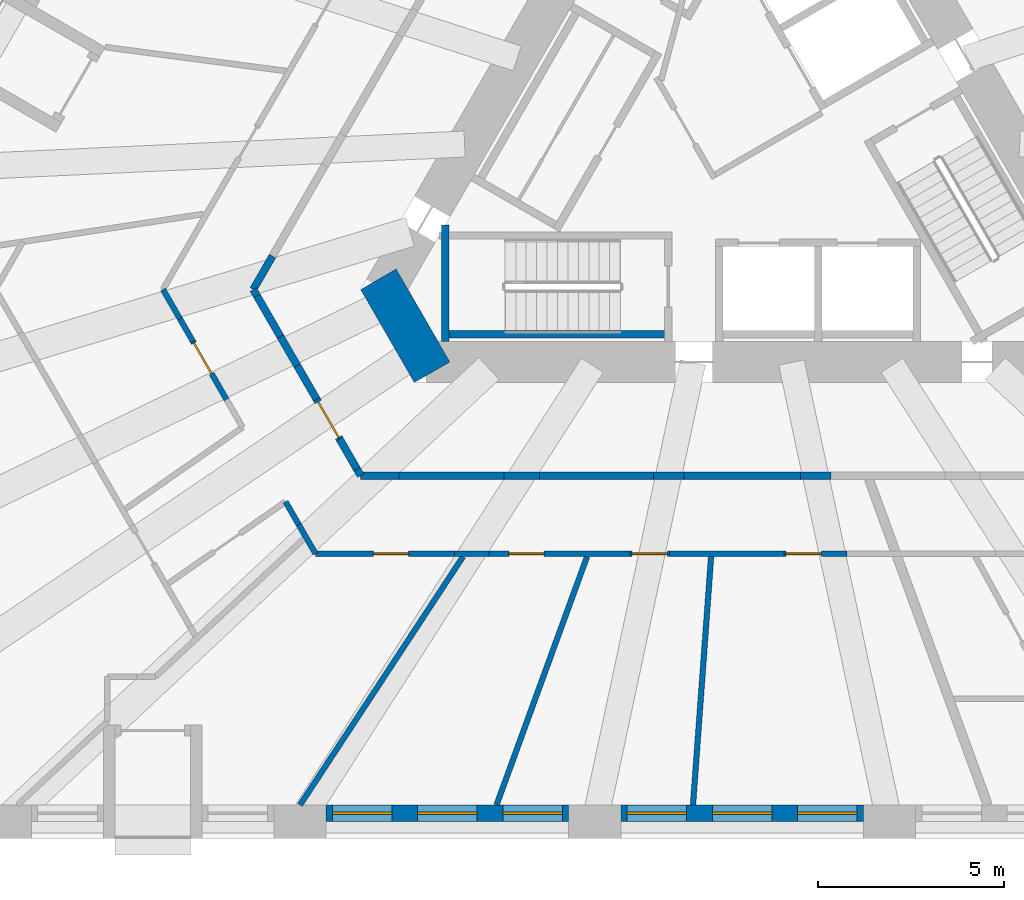
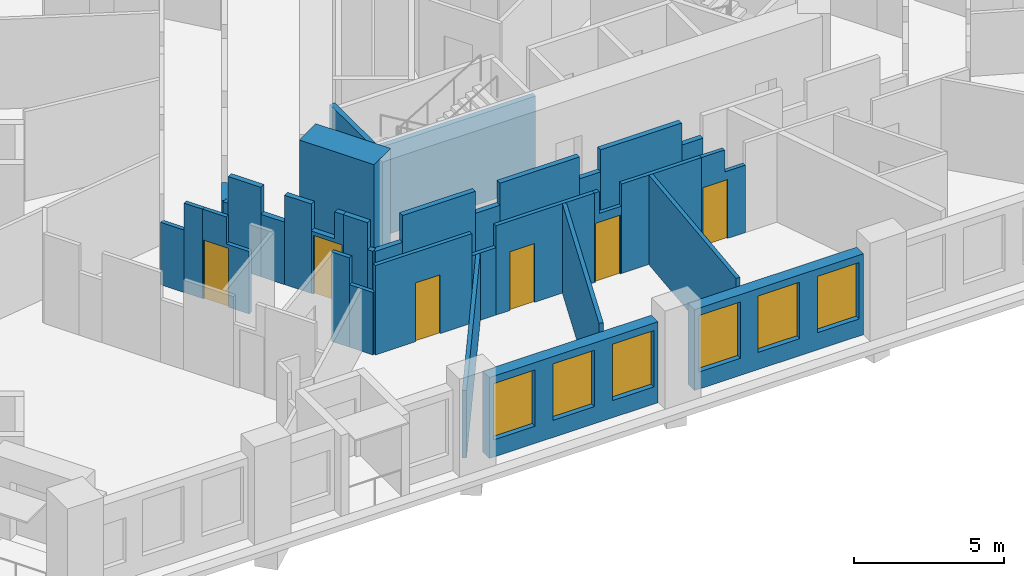
# One storey, part 3 of 14: 34 walls, 6 doors, 6 windows, 12 openings.
"""IFC4 building model written with IfcOpenShell, lengths in metres."""

import ifcopenshell
import ifcopenshell.guid

model = None  # the IFC model being written
_history = None  # IfcOwnerHistory: only IFC2X3 demands one
_inside = {}  # id of a spatial element -> (the spatial element, [elements in it])
_under = {}  # id of a project, library or spatial element -> (it, [spatial elements below it])
_declared = {}  # id of a project -> (the project, [libraries it declares])
_typed = {}  # id of a type object -> (the type object, [elements of that type])
_made_of = {}  # id of a material, layer set ... -> (it, [elements and type objects made of it])


def new_model(schema):
    """Start an empty IFC model of exactly this schema.

    Asked for "IFC4X3", IfcOpenShell would pick the latest addendum, in which some entities
    have other attributes; the version numbers below select the first issue.
    IFC2X3 requires an IfcOwnerHistory on every rooted entity: one is made here for all.
    """
    global model, _history
    if schema == "IFC4X3":
        model = ifcopenshell.file(schema_version=(4, 3, 0, 0))
    else:
        model = ifcopenshell.file(schema=schema)
    _inside.clear()
    _under.clear()
    _declared.clear()
    _typed.clear()
    _made_of.clear()
    _history = None
    if model.schema == "IFC2X3":
        org = make("IfcOrganization", Name="unknown")
        user = make(
            "IfcPersonAndOrganization",
            ThePerson=make("IfcPerson", FamilyName="unknown"),
            TheOrganization=org,
        )
        app = make(
            "IfcApplication",
            ApplicationDeveloper=org,
            Version="unknown",
            ApplicationFullName="unknown",
            ApplicationIdentifier="unknown",
        )
        _history = make(
            "IfcOwnerHistory",
            OwningUser=user,
            OwningApplication=app,
            ChangeAction="ADDED",
            CreationDate=0,
        )
    return model


def make(cls, **values):
    """One entity of the class cls with the attributes given. An attribute that is None is left unset."""
    return model.create_entity(
        cls, **{name: value for name, value in values.items() if value is not None}
    )


def rooted(cls, **values):
    """An entity with a GlobalId (a new one), such as an element, a storey or a relation."""
    return make(cls, GlobalId=ifcopenshell.guid.new(), OwnerHistory=_history, **values)


def si_unit(unit_type, name, prefix=None):
    """IfcSIUnit, for example si_unit("LENGTHUNIT", "METRE", prefix="MILLI")."""
    return make("IfcSIUnit", UnitType=unit_type, Prefix=prefix, Name=name)


def assignment(units):
    """IfcUnitAssignment: the units of a project."""
    return None if units is None else make("IfcUnitAssignment", Units=units)


def point(xyz):
    """IfcCartesianPoint."""
    return None if xyz is None else make("IfcCartesianPoint", Coordinates=xyz)


def direction(xyz):
    """IfcDirection."""
    return None if xyz is None else make("IfcDirection", DirectionRatios=xyz)


def frame(location, z_axis=None, x_axis=None):
    """IfcAxis2Placement3D, a coordinate frame: its origin and axes. An axis left out is left unset."""
    return make(
        "IfcAxis2Placement3D",
        Location=point(location),
        Axis=direction(z_axis),
        RefDirection=direction(x_axis),
    )


def frame_2d(location, x_axis=None):
    """IfcAxis2Placement2D, a coordinate frame in the plane: its origin and x axis."""
    return make(
        "IfcAxis2Placement2D", Location=point(location), RefDirection=direction(x_axis)
    )


def origin():
    """The frame at (0, 0, 0) with its axes left unset."""
    return frame((0.0, 0.0, 0.0))


def place(relative_to, where):
    """IfcLocalPlacement: puts the frame where relative to a parent placement (None: the world)."""
    return make(
        "IfcLocalPlacement", PlacementRelTo=relative_to, RelativePlacement=where
    )


def context(
    kind, dimensions, precision=None, world=None, true_north=None, identifier=None
):
    """IfcGeometricRepresentationContext, for example the 3D "Model" context."""
    return make(
        "IfcGeometricRepresentationContext",
        ContextIdentifier=identifier,
        ContextType=kind,
        CoordinateSpaceDimension=dimensions,
        Precision=precision,
        WorldCoordinateSystem=world,
        TrueNorth=true_north,
    )


def subcontext(parent, identifier, kind, view, scale=None):
    """IfcGeometricRepresentationSubContext, for example "Body" below "Model"."""
    return make(
        "IfcGeometricRepresentationSubContext",
        ContextIdentifier=identifier,
        ContextType=kind,
        ParentContext=parent,
        TargetScale=scale,
        TargetView=view,
    )


def project(units=None, contexts=None):
    """IfcProject with its units and contexts."""
    return rooted(
        "IfcProject",
        Name="project",
        RepresentationContexts=contexts,
        UnitsInContext=assignment(units),
    )


def spatial(cls, under=None, at=None, **own):
    """A site, building, storey or space (cls), placed at a placement, below another one or the project."""
    s = rooted(cls, ObjectPlacement=at, **own)
    if under is not None:
        _under.setdefault(under.id(), (under, []))[1].append(s)
    return s


def polyline(points):
    """IfcPolyline through the points."""
    return make("IfcPolyline", Points=[point(p) for p in points])


def profile(cls, at=None, kind="AREA", **sizes):
    """A parametric profile (cls). Its sizes go by their IFC names, for example OverallWidth=200.0."""
    return make(cls, ProfileType=kind, Position=at, **sizes)


def rectangle(**sizes):
    """IfcRectangleProfileDef."""
    return profile("IfcRectangleProfileDef", **sizes)


def outline(outer, holes=None, kind="AREA"):
    """IfcArbitraryClosedProfileDef: a profile drawn as a closed curve; with holes, ...WithVoids."""
    if holes is None:
        return make("IfcArbitraryClosedProfileDef", ProfileType=kind, OuterCurve=outer)
    return make(
        "IfcArbitraryProfileDefWithVoids",
        ProfileType=kind,
        OuterCurve=outer,
        InnerCurves=holes,
    )


def extrude(swept, where, along, depth):
    """IfcExtrudedAreaSolid: the profile swept, set in the frame where, extruded along a direction by depth."""
    return make(
        "IfcExtrudedAreaSolid",
        SweptArea=swept,
        Position=where,
        ExtrudedDirection=direction(along),
        Depth=depth,
    )


def shape(context_of_items, identifier, shape_type, items):
    """IfcShapeRepresentation: the items that make up one representation, for example the "Body"."""
    return make(
        "IfcShapeRepresentation",
        ContextOfItems=context_of_items,
        RepresentationIdentifier=identifier,
        RepresentationType=shape_type,
        Items=items,
    )


def material(Name=None, Category=None):
    """IfcMaterial."""
    return make("IfcMaterial", Name=Name, Category=Category)


def layer(
    of_material, thickness, ventilated=None, Name=None, Category=None, Priority=None
):
    """IfcMaterialLayer: one layer of a wall or slab, of a material (None: an air gap)."""
    return make(
        "IfcMaterialLayer",
        Material=of_material,
        LayerThickness=thickness,
        IsVentilated=ventilated,
        Name=Name,
        Category=Category,
        Priority=Priority,
    )


def layer_set(layers, Name=None):
    """IfcMaterialLayerSet."""
    return make("IfcMaterialLayerSet", MaterialLayers=layers, LayerSetName=Name)


def made_of(thing, what):
    """Note that an element or type object is made of a material, layer set ...; save() writes the relation."""
    if what is not None:
        _made_of.setdefault(what.id(), (what, []))[1].append(thing)
    return thing


def type_object(cls, material=None, **own):
    """A type object (cls), such as IfcWallType, which elements share."""
    return made_of(rooted(cls, **own), material)


def element(
    cls,
    number,
    at=None,
    inside=None,
    cuts=None,
    type_object=None,
    material=None,
    context=None,
    identifier="Body",
    shape_type=None,
    held_by="IfcProductDefinitionShape",
    body=None,
    shapes=None,
    **own,
):
    """One element of the class cls, such as IfcWall. Its Tag is "e" and its number.

    at: its placement. inside: the storey or other place that contains it. cuts: it is an
    opening in that element (IfcRelVoidsElement). A single representation is given by context,
    identifier, shape_type and body (its items); several are given by shapes. held_by: the class
    of the entity that holds the representations. save() writes the other relations.
    """
    e = rooted(cls, Tag="e%d" % number, ObjectPlacement=at, **own)
    if body is not None:
        shapes = [shape(context, identifier, shape_type, body)]
    if shapes is not None:
        e.Representation = make(held_by, Representations=shapes)
    if inside is not None:
        _inside.setdefault(inside.id(), (inside, []))[1].append(e)
    if cuts is not None:
        rooted(
            "IfcRelVoidsElement", RelatingBuildingElement=cuts, RelatedOpeningElement=e
        )
    if type_object is not None:
        _typed.setdefault(type_object.id(), (type_object, []))[1].append(e)
    return made_of(e, material)


def fill(opening, filler):
    """IfcRelFillsElement: the door or window that sits in an opening."""
    return rooted(
        "IfcRelFillsElement",
        RelatingOpeningElement=opening,
        RelatedBuildingElement=filler,
    )


def aggregate(whole, parts):
    """IfcRelAggregates: a whole, such as a stair, and the parts it consists of."""
    return rooted("IfcRelAggregates", RelatingObject=whole, RelatedObjects=parts)


def save(model, path):
    """Write the relations noted so far, then the file.

    IfcRelAggregates (storeys below a building ...), IfcRelContainedInSpatialStructure (elements
    in a storey), IfcRelDefinesByType, IfcRelAssociatesMaterial and IfcRelDeclares: one each for
    every whole, place, type object, material and project.
    """
    for whole, parts in _under.values():
        aggregate(whole, parts)
    for where, things in _inside.values():
        rooted(
            "IfcRelContainedInSpatialStructure",
            RelatedElements=things,
            RelatingStructure=where,
        )
    for kind, things in _typed.values():
        rooted("IfcRelDefinesByType", RelatedObjects=things, RelatingType=kind)
    for what, things in _made_of.values():
        rooted("IfcRelAssociatesMaterial", RelatedObjects=things, RelatingMaterial=what)
    for by, libraries in _declared.values():
        rooted("IfcRelDeclares", RelatingContext=by, RelatedDefinitions=libraries)
    model.write(path)


model = new_model("IFC4")

# Units and contexts
model_context = context("Model", 3, precision=1e-05, world=origin(), true_north=direction((0.0, 1.0)))
body_context = subcontext(model_context, "Body", "Model", "MODEL_VIEW")
ifc_project = project(units=[si_unit("LENGTHUNIT", "METRE"), si_unit("AREAUNIT", "SQUARE_METRE"), si_unit("VOLUMEUNIT", "CUBIC_METRE"), si_unit("PLANEANGLEUNIT", "RADIAN"), si_unit("MASSUNIT", "GRAM", prefix="KILO")], contexts=[model_context])

# Site, building, storey
site_placement = place(None, origin())
site = spatial("IfcSite", under=ifc_project, at=site_placement, CompositionType="ELEMENT")
building_placement = place(site_placement, origin())
building = spatial("IfcBuilding", under=site, at=building_placement, Name="Tramontana Tower", CompositionType="ELEMENT")
storey_placement = place(building_placement, frame((0.0, 0.0, 38.0)))
storey = spatial("IfcBuildingStorey", under=building, at=storey_placement, Name="L07", CompositionType="ELEMENT", Elevation=38.0)

# Walls
ifc_material_1 = material(Name="Concrete 70 MPa", Category="concrete")
ifc_layer_1 = layer(ifc_material_1, 1.10009765625)
ifc_layer_set_1 = layer_set([ifc_layer_1], Name="Core wall 1100 70 MPa")
wall_type_1 = type_object("IfcWallType", Name="Core wall 1100 70 MPa", PredefinedType="SHEAR", material=ifc_layer_set_1)
wall_1_placement = place(storey_placement, frame((-9.771728515625, -3.97509765625, 0.0), z_axis=(0.0, 0.0, 1.0), x_axis=(0.499995765644, -0.866027848477, 0.0)))
element("IfcWall", 1, at=wall_1_placement, inside=storey, type_object=wall_type_1, Name="Core wall C2 L07", PredefinedType="SHEAR", context=body_context, shape_type="SweptSolid", body=[
    extrude(rectangle(XDim=2.88671875, YDim=1.10009765625, at=frame_2d((1.443359375, 0.0))), origin(), (0.0, 0.0, 1.0), 4.0),
])
ifc_material_2 = material(Name="Blockwork", Category="masonry")
ifc_layer_2 = layer(ifc_material_2, 0.199951171875)
ifc_layer_set_2 = layer_set([ifc_layer_2], Name="ENTRY WALL 200")
wall_type_2 = type_object("IfcWallType", Name="ENTRY WALL 200", PredefinedType="SOLIDWALL", material=ifc_layer_set_2)
wall_2_placement = place(storey_placement, frame((2.383056640625, -9.25, 0.0), z_axis=(0.0, 0.0, 1.0), x_axis=(-1.0, 0.0, 0.0)))
element("IfcWall", 2, at=wall_2_placement, inside=storey, type_object=wall_type_2, Name="Wall v02-ew2-4", PredefinedType="SOLIDWALL", context=body_context, shape_type="SweptSolid", body=[
    extrude(rectangle(XDim=0.81787109375, YDim=0.199951171875, at=frame_2d((0.408935546875, 0.0))), origin(), (0.0, 0.0, 1.0), 2.75),
])
wall_3_placement = place(storey_placement, frame((1.565185546875, -9.25, 0.0), z_axis=(0.0, 0.0, 1.0), x_axis=(-1.0, 0.0, 0.0)))
element("IfcWall", 3, at=wall_3_placement, inside=storey, type_object=wall_type_2, Name="Wall v02-ew2-5", PredefinedType="SOLIDWALL", context=body_context, shape_type="SweptSolid", body=[
    extrude(rectangle(XDim=3.13037109375, YDim=0.199951171875, at=frame_2d((1.565185546875, 0.0))), origin(), (0.0, 0.0, 1.0), 3.64990234375),
])
wall_4_placement = place(storey_placement, frame((-1.565185546875, -9.25, 0.0), z_axis=(0.0, 0.0, 1.0), x_axis=(-1.0, 0.0, 0.0)))
element("IfcWall", 4, at=wall_4_placement, inside=storey, type_object=wall_type_2, Name="Wall v02-ew2-6", PredefinedType="SOLIDWALL", context=body_context, shape_type="SweptSolid", body=[
    extrude(rectangle(XDim=0.81787109375, YDim=0.199951171875, at=frame_2d((0.408935546875, 0.0))), origin(), (0.0, 0.0, 1.0), 2.75),
])
wall_5_placement = place(storey_placement, frame((-2.383056640625, -9.25, 0.0), z_axis=(0.0, 0.0, 1.0), x_axis=(-1.0, 0.0, 0.0)))
element("IfcWall", 5, at=wall_5_placement, inside=storey, type_object=wall_type_2, Name="Wall v02-ew2-7", PredefinedType="SOLIDWALL", context=body_context, shape_type="SweptSolid", body=[
    extrude(rectangle(XDim=3.064453125, YDim=0.199951171875, at=frame_2d((1.5322265625, 0.0))), origin(), (0.0, 0.0, 1.0), 3.64990234375),
])
wall_6_placement = place(storey_placement, frame((-5.447509765625, -9.25, 0.0), z_axis=(0.0, 0.0, 1.0), x_axis=(-1.0, 0.0, 0.0)))
element("IfcWall", 6, at=wall_6_placement, inside=storey, type_object=wall_type_2, Name="Wall v02-ew2-8", PredefinedType="SOLIDWALL", context=body_context, shape_type="SweptSolid", body=[
    extrude(rectangle(XDim=0.949951171875, YDim=0.199951171875, at=frame_2d((0.47509765625, 0.0))), origin(), (0.0, 0.0, 1.0), 2.75),
])
wall_7_placement = place(storey_placement, frame((-6.3974609375, -9.25, 0.0), z_axis=(0.0, 0.0, 1.0), x_axis=(-1.0, 0.0, 0.0)))
element("IfcWall", 7, at=wall_7_placement, inside=storey, type_object=wall_type_2, Name="Wall v02-ew2-9", PredefinedType="SOLIDWALL", context=body_context, shape_type="SweptSolid", body=[
    extrude(rectangle(XDim=2.815185546875, YDim=0.199951171875, at=frame_2d((1.40771484375, 0.0))), origin(), (0.0, 0.0, 1.0), 3.64990234375),
])
wall_8_placement = place(storey_placement, frame((-9.212646484375, -9.25, 0.0), z_axis=(0.0, 0.0, 1.0), x_axis=(-1.0, 0.0, 0.0)))
element("IfcWall", 8, at=wall_8_placement, inside=storey, type_object=wall_type_2, Name="Wall v02-ew2-10", PredefinedType="SOLIDWALL", context=body_context, shape_type="SweptSolid", body=[
    extrude(rectangle(XDim=1.035400390625, YDim=0.199951171875, at=frame_2d((0.517578125, 0.0))), origin(), (0.0, 0.0, 1.0), 2.550048828125),
])
wall_9_placement = place(storey_placement, frame((-10.248046875, -9.25, 0.0), z_axis=(0.0, 0.0, 1.0), x_axis=(-0.499865263774, 0.866103179807, 0.0)))
element("IfcWall", 9, at=wall_9_placement, inside=storey, type_object=wall_type_2, Name="Wall v02-ew3-0", PredefinedType="SOLIDWALL", context=body_context, shape_type="SweptSolid", body=[
    extrude(rectangle(XDim=0.197265625, YDim=0.199951171875, at=frame_2d((0.0986328125, 0.0))), origin(), (0.0, 0.0, 1.0), 2.550048828125),
])
wall_10_placement = place(storey_placement, frame((-10.3466796875, -9.0791015625, 0.0), z_axis=(0.0, 0.0, 1.0), x_axis=(-0.499925626596, 0.866068339032, 0.0)))
element("IfcWall", 10, at=wall_10_placement, inside=storey, type_object=wall_type_2, Name="Wall v02-ew3-1", PredefinedType="SOLIDWALL", context=body_context, shape_type="SweptSolid", body=[
    extrude(rectangle(XDim=0.936279296875, YDim=0.199951171875, at=frame_2d((0.46826171875, 0.0))), origin(), (0.0, 0.0, 1.0), 3.64990234375),
])

# Wall, opening, door
wall_11_placement = place(storey_placement, frame((-11.43115234375, -7.20068359375, 0.0), z_axis=(0.0, 0.0, 1.0), x_axis=(0.500036725936, -0.866004199017, 0.0)))
wall_11 = element("IfcWall", 11, at=wall_11_placement, inside=storey, type_object=wall_type_2, Name="Wall v02-ew3-2", PredefinedType="SOLIDWALL", context=body_context, shape_type="SweptSolid", body=[
    extrude(outline(polyline([(0.0, 0.0), (1.23291015625, 0.0), (1.23291015625, 3.64990234375), (0.90234375, 3.64990234375), (0.90234375, 2.550048828125), (0.0, 2.550048828125), (0.0, 0.0)])), frame((0.0, 0.10009765625, 0.0), z_axis=(0.0, -1.0, 0.0), x_axis=(1.0, 0.0, 0.0)), (0.0, 0.0, 1.0), 0.199951171875),
])
opening_1_placement = place(wall_11_placement, frame((0.082763671875, 0.0, 0.0)))
opening_1 = element("IfcOpeningElement", 12, at=opening_1_placement, cuts=wall_11, Name="Opening B0C-28", PredefinedType="OPENING", context=body_context, shape_type="SweptSolid", body=[
    extrude(rectangle(XDim=1.10009765625, YDim=2.39990234375, at=frame_2d((0.550048828125, 1.199951171875))), frame((0.0, 0.10986328125, 0.0), z_axis=(0.0, -1.0, 0.0), x_axis=(1.0, 0.0, 0.0)), (0.0, 0.0, 1.0), 0.219970703125),
])
ifc_material_3 = material(Name="Painted timber", Category="wood")
door_type_1 = type_object("IfcDoorType", Name="DOOR ENTRY 1100", OperationType="SINGLE_SWING_LEFT", PredefinedType="DOOR", material=ifc_material_3)
door_1_placement = place(opening_1_placement, origin())
door_1 = element("IfcDoor", 13, at=door_1_placement, inside=storey, type_object=door_type_1, Name="Door B0C-28", OperationType="SINGLE_SWING_RIGHT", OverallHeight=2.39990234375, OverallWidth=1.10009765625, PredefinedType="DOOR", context=body_context, shape_type="SweptSolid", body=[
    extrude(rectangle(XDim=1.10009765625, YDim=2.39990234375, at=frame_2d((0.550048828125, 1.199951171875))), frame((0.0, 0.02490234375, 0.0), z_axis=(0.0, -1.0, 0.0), x_axis=(1.0, 0.0, 0.0)), (0.0, 0.0, 1.0), 0.050048828125),
])
fill(opening_1, door_1)

# Walls
wall_12_placement = place(storey_placement, frame((-11.43115234375, -7.20068359375, 0.0), z_axis=(0.0, 0.0, 1.0), x_axis=(-0.499898446243, 0.866084027935, 0.0)))
element("IfcWall", 14, at=wall_12_placement, inside=storey, type_object=wall_type_2, Name="Wall v02-ew3-3", PredefinedType="SOLIDWALL", context=body_context, shape_type="SweptSolid", body=[
    extrude(rectangle(XDim=1.040771484375, YDim=0.199951171875, at=frame_2d((0.5205078125, 0.0))), origin(), (0.0, 0.0, 1.0), 3.64990234375),
])
wall_13_placement = place(storey_placement, frame((-11.951416015625, -6.29931640625, 0.0), z_axis=(0.0, 0.0, 1.0), x_axis=(-0.500097243556, 0.865969252911, 0.0)))
element("IfcWall", 15, at=wall_13_placement, inside=storey, type_object=wall_type_2, Name="Wall v02-ew3-4", PredefinedType="SOLIDWALL", context=body_context, shape_type="SweptSolid", body=[
    extrude(rectangle(XDim=0.902099609375, YDim=0.199951171875, at=frame_2d((0.451171875, 0.0))), origin(), (0.0, 0.0, 1.0), 2.550048828125),
])
wall_14_placement = place(storey_placement, frame((-12.402587890625, -5.51806640625, 0.0), z_axis=(0.0, 0.0, 1.0), x_axis=(-0.500056058743, 0.865993035835, 0.0)))
element("IfcWall", 16, at=wall_14_placement, inside=storey, type_object=wall_type_2, Name="Wall v02-ew3-5", PredefinedType="SOLIDWALL", context=body_context, shape_type="SweptSolid", body=[
    extrude(rectangle(XDim=1.266845703125, YDim=0.199951171875, at=frame_2d((0.63330078125, 0.0))), origin(), (0.0, 0.0, 1.0), 3.64990234375),
])
wall_15_placement = place(storey_placement, frame((-13.0361328125, -4.4208984375, 0.0), z_axis=(0.0, 0.0, 1.0), x_axis=(-0.499865263774, 0.866103179807, 0.0)))
element("IfcWall", 17, at=wall_15_placement, inside=storey, type_object=wall_type_2, Name="Wall v02-ew3-6", PredefinedType="SOLIDWALL", context=body_context, shape_type="SweptSolid", body=[
    extrude(rectangle(XDim=0.197265625, YDim=0.199951171875, at=frame_2d((0.0986328125, 0.0))), origin(), (0.0, 0.0, 1.0), 2.550048828125),
])
wall_16_placement = place(storey_placement, frame((-13.134765625, -4.25, 0.0), z_axis=(0.0, 0.0, 1.0), x_axis=(0.500171514983, 0.865926356915, 0.0)))
element("IfcWall", 18, at=wall_16_placement, inside=storey, type_object=wall_type_2, Name="Wall v02-ew4-0", PredefinedType="SOLIDWALL", context=body_context, shape_type="SweptSolid", body=[
    extrude(rectangle(XDim=1.035400390625, YDim=0.199951171875, at=frame_2d((0.517578125, 0.0))), origin(), (0.0, 0.0, 1.0), 2.550048828125),
])

# Wall, openings, windows
ifc_material_4 = material(Name="Precast concrete 60 MPa", Category="concrete")
ifc_layer_3 = layer(ifc_material_4, 0.449951171875)
ifc_layer_set_3 = layer_set([ifc_layer_3], Name="Precast concrete 60 MPa, 450 mm")
wall_type_3 = type_object("IfcWallType", Name="EW1 Stone-faced precast wall 450", PredefinedType="SOLIDWALL", material=ifc_layer_set_3)
wall_17_placement = place(storey_placement, frame((-11.177001953125, -18.324951171875, 0.0), z_axis=(0.0, 0.0, 1.0), x_axis=(1.0, 0.0, 0.0)))
wall_17 = element("IfcWall", 19, at=wall_17_placement, inside=storey, type_object=wall_type_3, Name="External wall L07 face 1 bay 3", PredefinedType="SOLIDWALL", context=body_context, shape_type="SweptSolid", body=[
    extrude(rectangle(XDim=6.51806640625, YDim=0.449951171875, at=frame_2d((3.259033203125, 0.0))), origin(), (0.0, 0.0, 1.0), 3.300048828125),
])
opening_2_placement = place(wall_17_placement, frame((0.169677734375, 0.0, 0.699951171875)))
opening_2 = element("IfcOpeningElement", 20, at=opening_2_placement, cuts=wall_17, Name="Opening M1", PredefinedType="OPENING", context=body_context, shape_type="SweptSolid", body=[
    extrude(rectangle(XDim=1.60009765625, YDim=2.300048828125, at=frame_2d((0.800048828125, 1.14990234375))), frame((0.0, 0.23486328125, 0.0), z_axis=(0.0, -1.0, 0.0), x_axis=(1.0, 0.0, 0.0)), (0.0, 0.0, 1.0), 0.469970703125),
])
opening_3_placement = place(wall_17_placement, frame((2.458984375, 0.0, 0.699951171875)))
opening_3 = element("IfcOpeningElement", 21, at=opening_3_placement, cuts=wall_17, Name="Opening M1", PredefinedType="OPENING", context=body_context, shape_type="SweptSolid", body=[
    extrude(rectangle(XDim=1.60009765625, YDim=2.300048828125, at=frame_2d((0.800048828125, 1.14990234375))), frame((0.0, 0.23486328125, 0.0), z_axis=(0.0, -1.0, 0.0), x_axis=(1.0, 0.0, 0.0)), (0.0, 0.0, 1.0), 0.469970703125),
])
opening_4_placement = place(wall_17_placement, frame((4.748291015625, 0.0, 0.699951171875)))
opening_4 = element("IfcOpeningElement", 22, at=opening_4_placement, cuts=wall_17, Name="Opening M1", PredefinedType="OPENING", context=body_context, shape_type="SweptSolid", body=[
    extrude(rectangle(XDim=1.60009765625, YDim=2.300048828125, at=frame_2d((0.800048828125, 1.14990234375))), frame((0.0, 0.23486328125, 0.0), z_axis=(0.0, -1.0, 0.0), x_axis=(1.0, 0.0, 0.0)), (0.0, 0.0, 1.0), 0.469970703125),
])
ifc_material_5 = material(Name="Aluminum frame, double glazing unit", Category="aluminium")
window_type = type_object("IfcWindowType", Name="M1 Window 1.6 x 2.3", PartitioningType="SINGLE_PANEL", PredefinedType="WINDOW", material=ifc_material_5)
window_1_placement = place(opening_2_placement, origin())
window_1 = element("IfcWindow", 23, at=window_1_placement, inside=storey, type_object=window_type, Name="Window M1 L07 face 1 module 7", OverallHeight=2.300048828125, OverallWidth=1.60009765625, PartitioningType="SINGLE_PANEL", PredefinedType="WINDOW", context=body_context, shape_type="SweptSolid", body=[
    extrude(rectangle(XDim=1.60009765625, YDim=2.300048828125, at=frame_2d((0.800048828125, 1.14990234375))), frame((0.0, 0.030029296875, 0.0), z_axis=(0.0, -1.0, 0.0), x_axis=(1.0, 0.0, 0.0)), (0.0, 0.0, 1.0), 0.06005859375),
])
fill(opening_2, window_1)
window_2_placement = place(opening_3_placement, origin())
window_2 = element("IfcWindow", 24, at=window_2_placement, inside=storey, type_object=window_type, Name="Window M1 L07 face 1 module 8", OverallHeight=2.300048828125, OverallWidth=1.60009765625, PartitioningType="SINGLE_PANEL", PredefinedType="WINDOW", context=body_context, shape_type="SweptSolid", body=[
    extrude(rectangle(XDim=1.60009765625, YDim=2.300048828125, at=frame_2d((0.800048828125, 1.14990234375))), frame((0.0, 0.030029296875, 0.0), z_axis=(0.0, -1.0, 0.0), x_axis=(1.0, 0.0, 0.0)), (0.0, 0.0, 1.0), 0.06005859375),
])
fill(opening_3, window_2)
window_3_placement = place(opening_4_placement, origin())
window_3 = element("IfcWindow", 25, at=window_3_placement, inside=storey, type_object=window_type, Name="Window M1 L07 face 1 module 9", OverallHeight=2.300048828125, OverallWidth=1.60009765625, PartitioningType="SINGLE_PANEL", PredefinedType="WINDOW", context=body_context, shape_type="SweptSolid", body=[
    extrude(rectangle(XDim=1.60009765625, YDim=2.300048828125, at=frame_2d((0.800048828125, 1.14990234375))), frame((0.0, 0.030029296875, 0.0), z_axis=(0.0, -1.0, 0.0), x_axis=(1.0, 0.0, 0.0)), (0.0, 0.0, 1.0), 0.06005859375),
])
fill(opening_4, window_3)

wall_18_placement = place(storey_placement, frame((-3.259033203125, -18.324951171875, 0.0), z_axis=(0.0, 0.0, 1.0), x_axis=(1.0, 0.0, 0.0)))
wall_18 = element("IfcWall", 26, at=wall_18_placement, inside=storey, type_object=wall_type_3, Name="External wall L07 face 1 bay 4", PredefinedType="SOLIDWALL", context=body_context, shape_type="SweptSolid", body=[
    extrude(rectangle(XDim=6.51806640625, YDim=0.449951171875, at=frame_2d((3.259033203125, 0.0))), origin(), (0.0, 0.0, 1.0), 3.300048828125),
])
opening_5_placement = place(wall_18_placement, frame((0.169677734375, 0.0, 0.699951171875)))
opening_5 = element("IfcOpeningElement", 27, at=opening_5_placement, cuts=wall_18, Name="Opening M1", PredefinedType="OPENING", context=body_context, shape_type="SweptSolid", body=[
    extrude(rectangle(XDim=1.60009765625, YDim=2.300048828125, at=frame_2d((0.800048828125, 1.14990234375))), frame((0.0, 0.23486328125, 0.0), z_axis=(0.0, -1.0, 0.0), x_axis=(1.0, 0.0, 0.0)), (0.0, 0.0, 1.0), 0.469970703125),
])
opening_6_placement = place(wall_18_placement, frame((2.458984375, 0.0, 0.699951171875)))
opening_6 = element("IfcOpeningElement", 28, at=opening_6_placement, cuts=wall_18, Name="Opening M1", PredefinedType="OPENING", context=body_context, shape_type="SweptSolid", body=[
    extrude(rectangle(XDim=1.60009765625, YDim=2.300048828125, at=frame_2d((0.800048828125, 1.14990234375))), frame((0.0, 0.23486328125, 0.0), z_axis=(0.0, -1.0, 0.0), x_axis=(1.0, 0.0, 0.0)), (0.0, 0.0, 1.0), 0.469970703125),
])
opening_7_placement = place(wall_18_placement, frame((4.748291015625, 0.0, 0.699951171875)))
opening_7 = element("IfcOpeningElement", 29, at=opening_7_placement, cuts=wall_18, Name="Opening M1", PredefinedType="OPENING", context=body_context, shape_type="SweptSolid", body=[
    extrude(rectangle(XDim=1.60009765625, YDim=2.300048828125, at=frame_2d((0.800048828125, 1.14990234375))), frame((0.0, 0.23486328125, 0.0), z_axis=(0.0, -1.0, 0.0), x_axis=(1.0, 0.0, 0.0)), (0.0, 0.0, 1.0), 0.469970703125),
])
window_4_placement = place(opening_5_placement, origin())
window_4 = element("IfcWindow", 30, at=window_4_placement, inside=storey, type_object=window_type, Name="Window M1 L07 face 1 module 10", OverallHeight=2.300048828125, OverallWidth=1.60009765625, PartitioningType="SINGLE_PANEL", PredefinedType="WINDOW", context=body_context, shape_type="SweptSolid", body=[
    extrude(rectangle(XDim=1.60009765625, YDim=2.300048828125, at=frame_2d((0.800048828125, 1.14990234375))), frame((0.0, 0.030029296875, 0.0), z_axis=(0.0, -1.0, 0.0), x_axis=(1.0, 0.0, 0.0)), (0.0, 0.0, 1.0), 0.06005859375),
])
fill(opening_5, window_4)
window_5_placement = place(opening_6_placement, origin())
window_5 = element("IfcWindow", 31, at=window_5_placement, inside=storey, type_object=window_type, Name="Window M1 L07 face 1 module 11", OverallHeight=2.300048828125, OverallWidth=1.60009765625, PartitioningType="SINGLE_PANEL", PredefinedType="WINDOW", context=body_context, shape_type="SweptSolid", body=[
    extrude(rectangle(XDim=1.60009765625, YDim=2.300048828125, at=frame_2d((0.800048828125, 1.14990234375))), frame((0.0, 0.030029296875, 0.0), z_axis=(0.0, -1.0, 0.0), x_axis=(1.0, 0.0, 0.0)), (0.0, 0.0, 1.0), 0.06005859375),
])
fill(opening_6, window_5)
window_6_placement = place(opening_7_placement, origin())
window_6 = element("IfcWindow", 32, at=window_6_placement, inside=storey, type_object=window_type, Name="Window M1 L07 face 1 module 12", OverallHeight=2.300048828125, OverallWidth=1.60009765625, PartitioningType="SINGLE_PANEL", PredefinedType="WINDOW", context=body_context, shape_type="SweptSolid", body=[
    extrude(rectangle(XDim=1.60009765625, YDim=2.300048828125, at=frame_2d((0.800048828125, 1.14990234375))), frame((0.0, 0.030029296875, 0.0), z_axis=(0.0, -1.0, 0.0), x_axis=(1.0, 0.0, 0.0)), (0.0, 0.0, 1.0), 0.06005859375),
])
fill(opening_7, window_6)

# Wall, opening, door
ifc_material_6 = material(Name="Gypsum board partition")
ifc_layer_4 = layer(ifc_material_6, 0.14990234375)
ifc_layer_set_4 = layer_set([ifc_layer_4], Name="PARTITION 150")
wall_type_4 = type_object("IfcWallType", Name="PARTITION 150", PredefinedType="PARTITIONING", material=ifc_layer_set_4)
wall_19_placement = place(storey_placement, frame((-13.85205078125, -7.207763671875, 0.0), z_axis=(0.0, 0.0, 1.0), x_axis=(-0.499914057068, 0.866075017274, 0.0)))
wall_19 = element("IfcWall", 33, at=wall_19_placement, inside=storey, type_object=wall_type_4, Name="Wall v02-pw10-1", PredefinedType="PARTITIONING", context=body_context, shape_type="SweptSolid", body=[
    extrude(outline(polyline([(0.0, 0.0), (1.801513671875, 0.0), (1.801513671875, 3.64990234375), (0.877197265625, 3.64990234375), (0.877197265625, 2.550048828125), (0.0, 2.550048828125), (0.0, 0.0)])), frame((0.0, 0.074951171875, 0.0), z_axis=(0.0, -1.0, 0.0), x_axis=(1.0, 0.0, 0.0)), (0.0, 0.0, 1.0), 0.14990234375),
])
opening_8_placement = place(wall_19_placement, frame((0.801513671875, 0.0, 0.0)))
opening_8 = element("IfcOpeningElement", 34, at=opening_8_placement, cuts=wall_19, Name="Opening B0C-09", PredefinedType="OPENING", context=body_context, shape_type="SweptSolid", body=[
    extrude(rectangle(XDim=0.949951171875, YDim=2.39990234375, at=frame_2d((0.47509765625, 1.199951171875))), frame((0.0, 0.0849609375, 0.0), z_axis=(0.0, -1.0, 0.0), x_axis=(1.0, 0.0, 0.0)), (0.0, 0.0, 1.0), 0.169921875),
])
ifc_material_7 = material(Name="Painted timber", Category="wood")
door_type_2 = type_object("IfcDoorType", Name="DOOR ROOM 950", OperationType="SINGLE_SWING_LEFT", PredefinedType="DOOR", material=ifc_material_7)
door_2_placement = place(opening_8_placement, origin())
door_2 = element("IfcDoor", 35, at=door_2_placement, inside=storey, type_object=door_type_2, Name="Door B0C-09", OperationType="SINGLE_SWING_LEFT", OverallHeight=2.39990234375, OverallWidth=0.949951171875, PredefinedType="DOOR", context=body_context, shape_type="SweptSolid", body=[
    extrude(rectangle(XDim=0.949951171875, YDim=2.39990234375, at=frame_2d((0.47509765625, 1.199951171875))), frame((0.0, 0.02490234375, 0.0), z_axis=(0.0, -1.0, 0.0), x_axis=(1.0, 0.0, 0.0)), (0.0, 0.0, 1.0), 0.050048828125),
])
fill(opening_8, door_2)

# Walls
wall_20_placement = place(storey_placement, frame((-14.752685546875, -5.6474609375, 0.0), z_axis=(0.0, 0.0, 1.0), x_axis=(-0.500001430823, 0.866024577697, 0.0)))
element("IfcWall", 36, at=wall_20_placement, inside=storey, type_object=wall_type_4, Name="Wall v02-pw10-2", PredefinedType="PARTITIONING", context=body_context, shape_type="SweptSolid", body=[
    extrude(rectangle(XDim=0.70703125, YDim=0.14990234375, at=frame_2d((0.353515625, 0.0))), origin(), (0.0, 0.0, 1.0), 3.64990234375),
])
wall_21_placement = place(storey_placement, frame((-15.106201171875, -5.03515625, 0.0), z_axis=(0.0, 0.0, 1.0), x_axis=(-0.500048779063, 0.865997239347, 0.0)))
element("IfcWall", 37, at=wall_21_placement, inside=storey, type_object=wall_type_4, Name="Wall v02-pw10-3", PredefinedType="PARTITIONING", context=body_context, shape_type="SweptSolid", body=[
    extrude(rectangle(XDim=0.90673828125, YDim=0.14990234375, at=frame_2d((0.453369140625, 0.0))), origin(), (0.0, 0.0, 1.0), 2.550048828125),
])
wall_22_placement = place(storey_placement, frame((-11.46044921875, -11.35009765625, 0.0), z_axis=(0.0, 0.0, 1.0), x_axis=(-0.499846793097, 0.866113839764, 0.0)))
element("IfcWall", 38, at=wall_22_placement, inside=storey, type_object=wall_type_4, Name="Wall v02-pw14-0", PredefinedType="PARTITIONING", context=body_context, shape_type="SweptSolid", body=[
    extrude(rectangle(XDim=0.906494140625, YDim=0.14990234375, at=frame_2d((0.453125, 0.0))), origin(), (0.0, 0.0, 1.0), 2.550048828125),
])
wall_23_placement = place(storey_placement, frame((-11.91357421875, -10.56494140625, 0.0), z_axis=(0.0, 0.0, 1.0), x_axis=(-0.500081682786, 0.86597823907, 0.0)))
element("IfcWall", 39, at=wall_23_placement, inside=storey, type_object=wall_type_4, Name="Wall v02-pw14-1", PredefinedType="PARTITIONING", context=body_context, shape_type="SweptSolid", body=[
    extrude(rectangle(XDim=0.7060546875, YDim=0.14990234375, at=frame_2d((0.35302734375, 0.0))), origin(), (0.0, 0.0, 1.0), 3.64990234375),
])
wall_24_placement = place(storey_placement, frame((-7.496826171875, -11.425048828125, 0.0), z_axis=(0.0, 0.0, 1.0), x_axis=(-0.54863773843, -0.836060184419, 0.0)))
element("IfcWall", 40, at=wall_24_placement, inside=storey, type_object=wall_type_4, Name="Wall v02-pw16-0", PredefinedType="PARTITIONING", context=body_context, shape_type="SweptSolid", body=[
    extrude(rectangle(XDim=7.983642578125, YDim=0.14990234375, at=frame_2d((3.99169921875, 0.0))), origin(), (0.0, 0.0, 1.0), 2.75),
])
wall_25_placement = place(storey_placement, frame((-4.1650390625, -11.425048828125, 0.0), z_axis=(0.0, 0.0, 1.0), x_axis=(-0.342496180601, -0.939519220811, 0.0)))
element("IfcWall", 41, at=wall_25_placement, inside=storey, type_object=wall_type_4, Name="Wall v02-pw23", PredefinedType="PARTITIONING", context=body_context, shape_type="SweptSolid", body=[
    extrude(rectangle(XDim=7.104736328125, YDim=0.14990234375, at=frame_2d((3.55224609375, 0.0))), origin(), (0.0, 0.0, 1.0), 3.64990234375),
])
wall_26_placement = place(storey_placement, frame((-0.8330078125, -11.425048828125, 0.0), z_axis=(0.0, 0.0, 1.0), x_axis=(-0.072701292679, -0.997353759728, 0.0)))
element("IfcWall", 42, at=wall_26_placement, inside=storey, type_object=wall_type_4, Name="Wall v02-pw27", PredefinedType="PARTITIONING", context=body_context, shape_type="SweptSolid", body=[
    extrude(rectangle(XDim=6.69287109375, YDim=0.14990234375, at=frame_2d((3.346435546875, 0.0))), origin(), (0.0, 0.0, 1.0), 3.64990234375),
])

# Wall, opening, door
wall_27_placement = place(storey_placement, frame((2.818603515625, -11.35009765625, 0.0), z_axis=(0.0, 0.0, 1.0), x_axis=(-1.0, 0.0, 0.0)))
wall_27 = element("IfcWall", 43, at=wall_27_placement, inside=storey, type_object=wall_type_4, Name="Wall v02-pw37-3", PredefinedType="PARTITIONING", context=body_context, shape_type="SweptSolid", body=[
    extrude(outline(polyline([(0.0, 0.0), (1.690185546875, 0.0), (1.68994140625, 3.64990234375), (0.79248046875, 3.64990234375), (0.79248046875, 2.75), (0.0, 2.75), (0.0, 0.0)])), frame((0.0, 0.074951171875, 0.0), z_axis=(0.0, -1.0, 0.0), x_axis=(1.0, 0.0, 0.0)), (0.0, 0.0, 1.0), 0.14990234375),
])
opening_9_placement = place(wall_27_placement, frame((0.68994140625, 0.0, 0.0)))
opening_9 = element("IfcOpeningElement", 44, at=opening_9_placement, cuts=wall_27, Name="Opening B0C-18", PredefinedType="OPENING", context=body_context, shape_type="SweptSolid", body=[
    extrude(rectangle(XDim=0.949951171875, YDim=2.39990234375, at=frame_2d((0.47509765625, 1.199951171875))), frame((0.0, 0.0849609375, 0.0), z_axis=(0.0, -1.0, 0.0), x_axis=(1.0, 0.0, 0.0)), (0.0, 0.0, 1.0), 0.169921875),
])
door_3_placement = place(opening_9_placement, origin())
door_3 = element("IfcDoor", 45, at=door_3_placement, inside=storey, type_object=door_type_2, Name="Door B0C-18", OperationType="SINGLE_SWING_RIGHT", OverallHeight=2.39990234375, OverallWidth=0.949951171875, PredefinedType="DOOR", context=body_context, shape_type="SweptSolid", body=[
    extrude(rectangle(XDim=0.949951171875, YDim=2.39990234375, at=frame_2d((0.47509765625, 1.199951171875))), frame((0.0, 0.02490234375, 0.0), z_axis=(0.0, -1.0, 0.0), x_axis=(1.0, 0.0, 0.0)), (0.0, 0.0, 1.0), 0.050048828125),
])
fill(opening_9, door_3)

# Wall
wall_28_placement = place(storey_placement, frame((1.12841796875, -11.35009765625, 0.0), z_axis=(0.0, 0.0, 1.0), x_axis=(-1.0, 0.0, 0.0)))
element("IfcWall", 46, at=wall_28_placement, inside=storey, type_object=wall_type_4, Name="Wall v02-pw37-4", PredefinedType="PARTITIONING", context=body_context, shape_type="SweptSolid", body=[
    extrude(rectangle(XDim=3.086181640625, YDim=0.14990234375, at=frame_2d((1.54296875, 0.0))), origin(), (0.0, 0.0, 1.0), 3.64990234375),
])

# Wall, opening, door
wall_29_placement = place(storey_placement, frame((-1.957763671875, -11.35009765625, 0.0), z_axis=(0.0, 0.0, 1.0), x_axis=(-1.0, 0.0, 0.0)))
wall_29 = element("IfcWall", 47, at=wall_29_placement, inside=storey, type_object=wall_type_4, Name="Wall v02-pw37-5", PredefinedType="PARTITIONING", context=body_context, shape_type="SweptSolid", body=[
    extrude(outline(polyline([(0.0, 0.0), (1.0498046875, 0.0), (1.050048828125, 3.64990234375), (0.86083984375, 3.64990234375), (0.86083984375, 2.75), (0.0, 2.75), (0.0, 0.0)])), frame((0.0, 0.074951171875, 0.0), z_axis=(0.0, -1.0, 0.0), x_axis=(1.0, 0.0, 0.0)), (0.0, 0.0, 1.0), 0.14990234375),
])
opening_10_placement = place(wall_29_placement, frame((0.050048828125, 0.0, 0.0)))
opening_10 = element("IfcOpeningElement", 48, at=opening_10_placement, cuts=wall_29, Name="Opening B0C-17", PredefinedType="OPENING", context=body_context, shape_type="SweptSolid", body=[
    extrude(rectangle(XDim=0.949951171875, YDim=2.39990234375, at=frame_2d((0.47509765625, 1.199951171875))), frame((0.0, 0.0849609375, 0.0), z_axis=(0.0, -1.0, 0.0), x_axis=(1.0, 0.0, 0.0)), (0.0, 0.0, 1.0), 0.169921875),
])
door_4_placement = place(opening_10_placement, origin())
door_4 = element("IfcDoor", 49, at=door_4_placement, inside=storey, type_object=door_type_2, Name="Door B0C-17", OperationType="SINGLE_SWING_LEFT", OverallHeight=2.39990234375, OverallWidth=0.949951171875, PredefinedType="DOOR", context=body_context, shape_type="SweptSolid", body=[
    extrude(rectangle(XDim=0.949951171875, YDim=2.39990234375, at=frame_2d((0.47509765625, 1.199951171875))), frame((0.0, 0.02490234375, 0.0), z_axis=(0.0, -1.0, 0.0), x_axis=(1.0, 0.0, 0.0)), (0.0, 0.0, 1.0), 0.050048828125),
])
fill(opening_10, door_4)

wall_30_placement = place(storey_placement, frame((-3.007568359375, -11.35009765625, 0.0), z_axis=(0.0, 0.0, 1.0), x_axis=(-1.0, 0.0, 0.0)))
wall_30 = element("IfcWall", 50, at=wall_30_placement, inside=storey, type_object=wall_type_4, Name="Wall v02-pw37-6", PredefinedType="PARTITIONING", context=body_context, shape_type="SweptSolid", body=[
    extrude(rectangle(XDim=3.79931640625, YDim=0.14990234375, at=frame_2d((1.899658203125, 0.0))), origin(), (0.0, 0.0, 1.0), 3.64990234375),
])
opening_11_placement = place(wall_30_placement, frame((2.310302734375, 0.0, 0.0)))
opening_11 = element("IfcOpeningElement", 51, at=opening_11_placement, cuts=wall_30, Name="Opening B0C-16", PredefinedType="OPENING", context=body_context, shape_type="SweptSolid", body=[
    extrude(rectangle(XDim=0.949951171875, YDim=2.39990234375, at=frame_2d((0.47509765625, 1.199951171875))), frame((0.0, 0.0849609375, 0.0), z_axis=(0.0, -1.0, 0.0), x_axis=(1.0, 0.0, 0.0)), (0.0, 0.0, 1.0), 0.169921875),
])
door_5_placement = place(opening_11_placement, origin())
door_5 = element("IfcDoor", 52, at=door_5_placement, inside=storey, type_object=door_type_2, Name="Door B0C-16", OperationType="SINGLE_SWING_RIGHT", OverallHeight=2.39990234375, OverallWidth=0.949951171875, PredefinedType="DOOR", context=body_context, shape_type="SweptSolid", body=[
    extrude(rectangle(XDim=0.949951171875, YDim=2.39990234375, at=frame_2d((0.47509765625, 1.199951171875))), frame((0.0, 0.02490234375, 0.0), z_axis=(0.0, -1.0, 0.0), x_axis=(1.0, 0.0, 0.0)), (0.0, 0.0, 1.0), 0.050048828125),
])
fill(opening_11, door_5)

# Wall
wall_31_placement = place(storey_placement, frame((-6.806884765625, -11.35009765625, 0.0), z_axis=(0.0, 0.0, 1.0), x_axis=(-1.0, 0.0, 0.0)))
element("IfcWall", 53, at=wall_31_placement, inside=storey, type_object=wall_type_4, Name="Wall v02-pw37-7", PredefinedType="PARTITIONING", context=body_context, shape_type="SweptSolid", body=[
    extrude(rectangle(XDim=0.920166015625, YDim=0.14990234375, at=frame_2d((0.4599609375, 0.0))), origin(), (0.0, 0.0, 1.0), 2.75),
])

# Wall, opening, door
wall_32_placement = place(storey_placement, frame((-7.72705078125, -11.35009765625, 0.0), z_axis=(0.0, 0.0, 1.0), x_axis=(-1.0, 0.0, 0.0)))
wall_32 = element("IfcWall", 54, at=wall_32_placement, inside=storey, type_object=wall_type_4, Name="Wall v02-pw37-8", PredefinedType="PARTITIONING", context=body_context, shape_type="SweptSolid", body=[
    extrude(rectangle(XDim=3.7333984375, YDim=0.14990234375, at=frame_2d((1.86669921875, 0.0))), origin(), (0.0, 0.0, 1.0), 3.64990234375),
])
opening_12_placement = place(wall_32_placement, frame((1.23046875, 0.0, 0.0)))
opening_12 = element("IfcOpeningElement", 55, at=opening_12_placement, cuts=wall_32, Name="Opening B0C-15", PredefinedType="OPENING", context=body_context, shape_type="SweptSolid", body=[
    extrude(rectangle(XDim=0.949951171875, YDim=2.39990234375, at=frame_2d((0.47509765625, 1.199951171875))), frame((0.0, 0.0849609375, 0.0), z_axis=(0.0, -1.0, 0.0), x_axis=(1.0, 0.0, 0.0)), (0.0, 0.0, 1.0), 0.169921875),
])
door_6_placement = place(opening_12_placement, origin())
door_6 = element("IfcDoor", 56, at=door_6_placement, inside=storey, type_object=door_type_2, Name="Door B0C-15", OperationType="SINGLE_SWING_LEFT", OverallHeight=2.39990234375, OverallWidth=0.949951171875, PredefinedType="DOOR", context=body_context, shape_type="SweptSolid", body=[
    extrude(rectangle(XDim=0.949951171875, YDim=2.39990234375, at=frame_2d((0.47509765625, 1.199951171875))), frame((0.0, 0.02490234375, 0.0), z_axis=(0.0, -1.0, 0.0), x_axis=(1.0, 0.0, 0.0)), (0.0, 0.0, 1.0), 0.050048828125),
])
fill(opening_12, door_6)

# Walls
ifc_material_8 = material(Name="Concrete 70 MPa", Category="concrete")
ifc_layer_5 = layer(ifc_material_8, 0.199951171875)
ifc_layer_set_5 = layer_set([ifc_layer_5], Name="Concrete 70 MPa, 200 mm")
wall_type_5 = type_object("IfcWallType", Name="RC SHAFT BACK WALL 200", PredefinedType="SOLIDWALL", material=ifc_layer_set_5)
wall_33_placement = place(storey_placement, frame((-8.080078125, -5.449951171875, 0.0), z_axis=(0.0, 0.0, 1.0), x_axis=(1.0, 0.0, 0.0)))
element("IfcWall", 57, at=wall_33_placement, inside=storey, type_object=wall_type_5, Name="Wall st2-back", PredefinedType="SOLIDWALL", context=body_context, shape_type="SweptSolid", body=[
    extrude(rectangle(XDim=6.2001953125, YDim=0.199951171875, at=frame_2d((3.10009765625, 0.0))), origin(), (0.0, 0.0, 1.0), 3.64990234375),
])
ifc_material_9 = material(Name="Concrete 70 MPa", Category="concrete")
ifc_layer_6 = layer(ifc_material_9, 0.199951171875)
ifc_layer_set_6 = layer_set([ifc_layer_6], Name="Concrete 70 MPa, 200 mm")
wall_type_6 = type_object("IfcWallType", Name="RC STAIR AND SHAFT WALL 200", PredefinedType="SOLIDWALL", material=ifc_layer_set_6)
wall_34_placement = place(storey_placement, frame((-7.97998046875, -2.521728515625, 0.0), z_axis=(0.0, 0.0, 1.0), x_axis=(0.0, -1.0, 0.0)))
element("IfcWall", 58, at=wall_34_placement, inside=storey, type_object=wall_type_6, Name="Wall st2-far", PredefinedType="SOLIDWALL", context=body_context, shape_type="SweptSolid", body=[
    extrude(rectangle(XDim=3.128173828125, YDim=0.199951171875, at=frame_2d((1.56396484375, 0.0))), origin(), (0.0, 0.0, 1.0), 3.64990234375),
])

save(model, "model.ifc")
